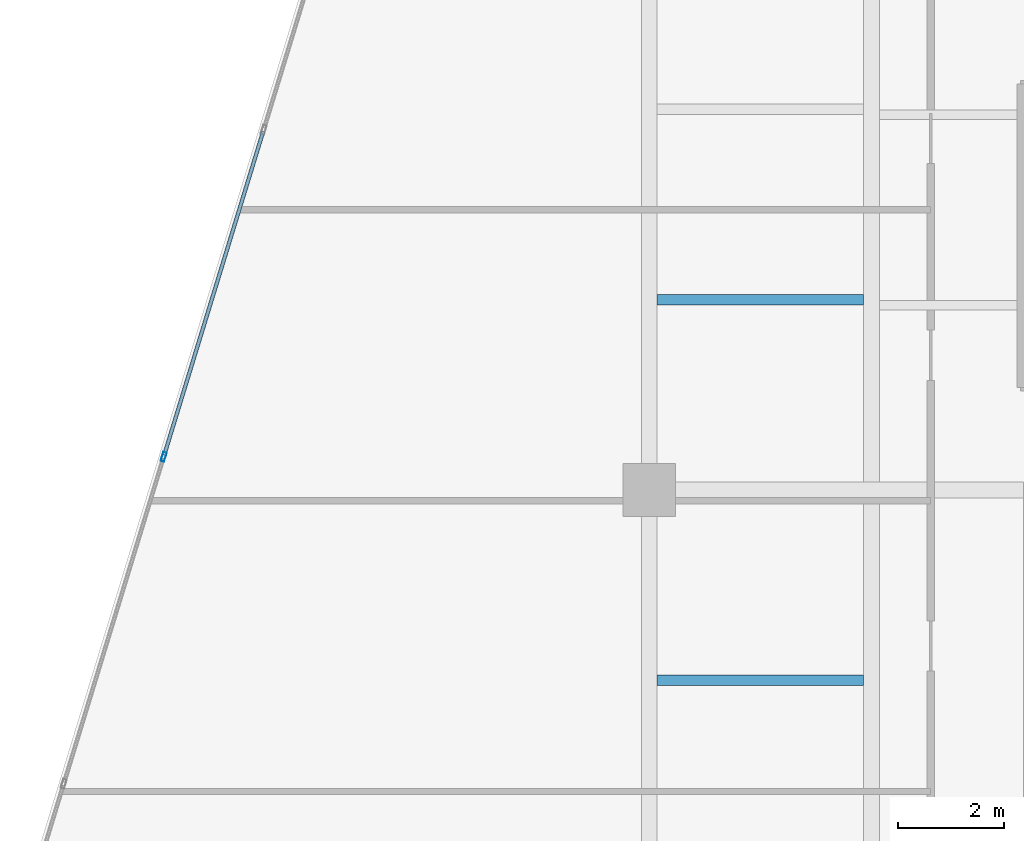
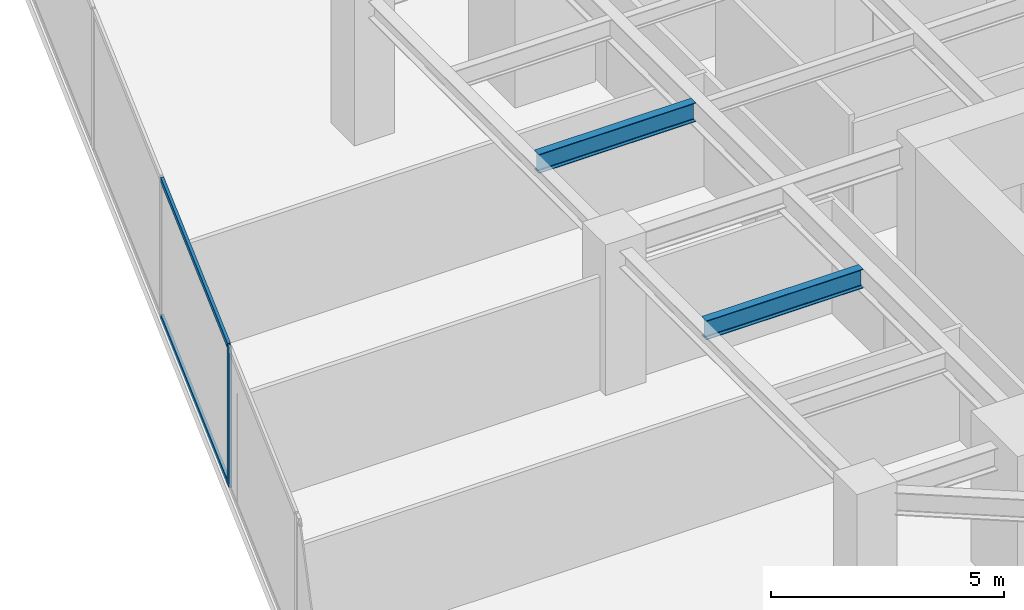
# One storey, part 7 of 26: 3 members, 2 beams, 1 element without a shape of its own.
"""IFC4 building model written with IfcOpenShell, lengths in metres."""

import ifcopenshell
import ifcopenshell.guid

model = None  # the IFC model being written
_history = None  # IfcOwnerHistory: only IFC2X3 demands one
_inside = {}  # id of a spatial element -> (the spatial element, [elements in it])
_under = {}  # id of a project, library or spatial element -> (it, [spatial elements below it])
_declared = {}  # id of a project -> (the project, [libraries it declares])
_typed = {}  # id of a type object -> (the type object, [elements of that type])
_made_of = {}  # id of a material, layer set ... -> (it, [elements and type objects made of it])


def new_model(schema):
    """Start an empty IFC model of exactly this schema.

    Asked for "IFC4X3", IfcOpenShell would pick the latest addendum, in which some entities
    have other attributes; the version numbers below select the first issue.
    IFC2X3 requires an IfcOwnerHistory on every rooted entity: one is made here for all.
    """
    global model, _history
    if schema == "IFC4X3":
        model = ifcopenshell.file(schema_version=(4, 3, 0, 0))
    else:
        model = ifcopenshell.file(schema=schema)
    _inside.clear()
    _under.clear()
    _declared.clear()
    _typed.clear()
    _made_of.clear()
    _history = None
    if model.schema == "IFC2X3":
        org = make("IfcOrganization", Name="unknown")
        user = make(
            "IfcPersonAndOrganization",
            ThePerson=make("IfcPerson", FamilyName="unknown"),
            TheOrganization=org,
        )
        app = make(
            "IfcApplication",
            ApplicationDeveloper=org,
            Version="unknown",
            ApplicationFullName="unknown",
            ApplicationIdentifier="unknown",
        )
        _history = make(
            "IfcOwnerHistory",
            OwningUser=user,
            OwningApplication=app,
            ChangeAction="ADDED",
            CreationDate=0,
        )
    return model


def make(cls, **values):
    """One entity of the class cls with the attributes given. An attribute that is None is left unset."""
    return model.create_entity(
        cls, **{name: value for name, value in values.items() if value is not None}
    )


def rooted(cls, **values):
    """An entity with a GlobalId (a new one), such as an element, a storey or a relation."""
    return make(cls, GlobalId=ifcopenshell.guid.new(), OwnerHistory=_history, **values)


def si_unit(unit_type, name, prefix=None):
    """IfcSIUnit, for example si_unit("LENGTHUNIT", "METRE", prefix="MILLI")."""
    return make("IfcSIUnit", UnitType=unit_type, Prefix=prefix, Name=name)


def assignment(units):
    """IfcUnitAssignment: the units of a project."""
    return None if units is None else make("IfcUnitAssignment", Units=units)


def point(xyz):
    """IfcCartesianPoint."""
    return None if xyz is None else make("IfcCartesianPoint", Coordinates=xyz)


def direction(xyz):
    """IfcDirection."""
    return None if xyz is None else make("IfcDirection", DirectionRatios=xyz)


def frame(location, z_axis=None, x_axis=None):
    """IfcAxis2Placement3D, a coordinate frame: its origin and axes. An axis left out is left unset."""
    return make(
        "IfcAxis2Placement3D",
        Location=point(location),
        Axis=direction(z_axis),
        RefDirection=direction(x_axis),
    )


def frame_2d(location, x_axis=None):
    """IfcAxis2Placement2D, a coordinate frame in the plane: its origin and x axis."""
    return make(
        "IfcAxis2Placement2D", Location=point(location), RefDirection=direction(x_axis)
    )


def origin():
    """The frame at (0, 0, 0) with its axes left unset."""
    return frame((0.0, 0.0, 0.0))


def origin_2d():
    """The frame at (0, 0) in the plane with its x axis left unset."""
    return frame_2d((0.0, 0.0))


def place(relative_to, where):
    """IfcLocalPlacement: puts the frame where relative to a parent placement (None: the world)."""
    return make(
        "IfcLocalPlacement", PlacementRelTo=relative_to, RelativePlacement=where
    )


def context(
    kind, dimensions, precision=None, world=None, true_north=None, identifier=None
):
    """IfcGeometricRepresentationContext, for example the 3D "Model" context."""
    return make(
        "IfcGeometricRepresentationContext",
        ContextIdentifier=identifier,
        ContextType=kind,
        CoordinateSpaceDimension=dimensions,
        Precision=precision,
        WorldCoordinateSystem=world,
        TrueNorth=true_north,
    )


def subcontext(parent, identifier, kind, view, scale=None):
    """IfcGeometricRepresentationSubContext, for example "Body" below "Model"."""
    return make(
        "IfcGeometricRepresentationSubContext",
        ContextIdentifier=identifier,
        ContextType=kind,
        ParentContext=parent,
        TargetScale=scale,
        TargetView=view,
    )


def project(units=None, contexts=None):
    """IfcProject with its units and contexts."""
    return rooted(
        "IfcProject",
        Name="project",
        RepresentationContexts=contexts,
        UnitsInContext=assignment(units),
    )


def spatial(cls, under=None, at=None, **own):
    """A site, building, storey or space (cls), placed at a placement, below another one or the project."""
    s = rooted(cls, ObjectPlacement=at, **own)
    if under is not None:
        _under.setdefault(under.id(), (under, []))[1].append(s)
    return s


def profile(cls, at=None, kind="AREA", **sizes):
    """A parametric profile (cls). Its sizes go by their IFC names, for example OverallWidth=200.0."""
    return make(cls, ProfileType=kind, Position=at, **sizes)


def hollow_rectangle(**sizes):
    """IfcRectangleHollowProfileDef."""
    return profile("IfcRectangleHollowProfileDef", **sizes)


def i_section(**sizes):
    """IfcIShapeProfileDef."""
    return profile("IfcIShapeProfileDef", **sizes)


def extrude(swept, where, along, depth):
    """IfcExtrudedAreaSolid: the profile swept, set in the frame where, extruded along a direction by depth."""
    return make(
        "IfcExtrudedAreaSolid",
        SweptArea=swept,
        Position=where,
        ExtrudedDirection=direction(along),
        Depth=depth,
    )


def shape(context_of_items, identifier, shape_type, items):
    """IfcShapeRepresentation: the items that make up one representation, for example the "Body"."""
    return make(
        "IfcShapeRepresentation",
        ContextOfItems=context_of_items,
        RepresentationIdentifier=identifier,
        RepresentationType=shape_type,
        Items=items,
    )


def source(mapping_origin, context_of_items, identifier, shape_type, items):
    """IfcRepresentationMap: a shape defined once, which mapped items show again and again."""
    return make(
        "IfcRepresentationMap",
        MappingOrigin=mapping_origin,
        MappedRepresentation=shape(context_of_items, identifier, shape_type, items),
    )


def transform(
    local_origin,
    x_axis=None,
    y_axis=None,
    z_axis=None,
    scale=None,
    scale2=None,
    scale3=None,
    uniform=True,
):
    """IfcCartesianTransformationOperator3D, or its non-uniform kind. x_axis, y_axis, z_axis: its Axis1, 2, 3."""
    if uniform:
        return make(
            "IfcCartesianTransformationOperator3D",
            Axis1=direction(x_axis),
            Axis2=direction(y_axis),
            LocalOrigin=point(local_origin),
            Scale=scale,
            Axis3=direction(z_axis),
        )
    return make(
        "IfcCartesianTransformationOperator3DnonUniform",
        Axis1=direction(x_axis),
        Axis2=direction(y_axis),
        LocalOrigin=point(local_origin),
        Scale=scale,
        Axis3=direction(z_axis),
        Scale2=scale2,
        Scale3=scale3,
    )


def mapped(mapping_source, mapping_target):
    """IfcMappedItem: shows the shape of a source again, moved by a transform."""
    return make(
        "IfcMappedItem", MappingSource=mapping_source, MappingTarget=mapping_target
    )


def material(Name=None, Category=None):
    """IfcMaterial."""
    return make("IfcMaterial", Name=Name, Category=Category)


def material_profile(
    of_material, cross_section, Name=None, Category=None, Priority=None
):
    """IfcMaterialProfile: a cross section and its material."""
    return make(
        "IfcMaterialProfile",
        Name=Name,
        Material=of_material,
        Profile=cross_section,
        Priority=Priority,
        Category=Category,
    )


def profile_set(profiles, Name=None, composite=None):
    """IfcMaterialProfileSet."""
    return make(
        "IfcMaterialProfileSet",
        Name=Name,
        MaterialProfiles=profiles,
        CompositeProfile=composite,
    )


def made_of(thing, what):
    """Note that an element or type object is made of a material, layer set ...; save() writes the relation."""
    if what is not None:
        _made_of.setdefault(what.id(), (what, []))[1].append(thing)
    return thing


def type_object(cls, material=None, **own):
    """A type object (cls), such as IfcWallType, which elements share."""
    return made_of(rooted(cls, **own), material)


def type_shapes(of_type, sources):
    """Give a type object the sources (RepresentationMaps) that its elements show as mapped items."""
    of_type.RepresentationMaps = sources


def element(
    cls,
    number,
    at=None,
    inside=None,
    cuts=None,
    type_object=None,
    material=None,
    context=None,
    identifier="Body",
    shape_type=None,
    held_by="IfcProductDefinitionShape",
    body=None,
    shapes=None,
    **own,
):
    """One element of the class cls, such as IfcWall. Its Tag is "e" and its number.

    at: its placement. inside: the storey or other place that contains it. cuts: it is an
    opening in that element (IfcRelVoidsElement). A single representation is given by context,
    identifier, shape_type and body (its items); several are given by shapes. held_by: the class
    of the entity that holds the representations. save() writes the other relations.
    """
    e = rooted(cls, Tag="e%d" % number, ObjectPlacement=at, **own)
    if body is not None:
        shapes = [shape(context, identifier, shape_type, body)]
    if shapes is not None:
        e.Representation = make(held_by, Representations=shapes)
    if inside is not None:
        _inside.setdefault(inside.id(), (inside, []))[1].append(e)
    if cuts is not None:
        rooted(
            "IfcRelVoidsElement", RelatingBuildingElement=cuts, RelatedOpeningElement=e
        )
    if type_object is not None:
        _typed.setdefault(type_object.id(), (type_object, []))[1].append(e)
    return made_of(e, material)


def aggregate(whole, parts):
    """IfcRelAggregates: a whole, such as a stair, and the parts it consists of."""
    return rooted("IfcRelAggregates", RelatingObject=whole, RelatedObjects=parts)


def save(model, path):
    """Write the relations noted so far, then the file.

    IfcRelAggregates (storeys below a building ...), IfcRelContainedInSpatialStructure (elements
    in a storey), IfcRelDefinesByType, IfcRelAssociatesMaterial and IfcRelDeclares: one each for
    every whole, place, type object, material and project.
    """
    for whole, parts in _under.values():
        aggregate(whole, parts)
    for where, things in _inside.values():
        rooted(
            "IfcRelContainedInSpatialStructure",
            RelatedElements=things,
            RelatingStructure=where,
        )
    for kind, things in _typed.values():
        rooted("IfcRelDefinesByType", RelatedObjects=things, RelatingType=kind)
    for what, things in _made_of.values():
        rooted("IfcRelAssociatesMaterial", RelatedObjects=things, RelatingMaterial=what)
    for by, libraries in _declared.values():
        rooted("IfcRelDeclares", RelatingContext=by, RelatedDefinitions=libraries)
    model.write(path)


model = new_model("IFC4")

# Units and contexts
model_context = context("Model", 3, precision=1e-05, world=origin(), true_north=direction((0.0, 1.0)))
body_context = subcontext(model_context, "Body", "Model", "MODEL_VIEW")
ifc_project = project(units=[si_unit("LENGTHUNIT", "METRE"), si_unit("AREAUNIT", "SQUARE_METRE"), si_unit("VOLUMEUNIT", "CUBIC_METRE"), si_unit("PLANEANGLEUNIT", "RADIAN"), si_unit("MASSUNIT", "GRAM", prefix="KILO")], contexts=[model_context])

# Site, building, storey
site_placement = place(None, origin())
site = spatial("IfcSite", under=ifc_project, at=site_placement, CompositionType="ELEMENT")
building_placement = place(site_placement, origin())
building = spatial("IfcBuilding", under=site, at=building_placement, Name="Krantzveldt Concourse Tower", CompositionType="ELEMENT")
storey_placement = place(building_placement, frame((0.0, 0.0, 109.800048828125)))
storey = spatial("IfcBuildingStorey", under=building, at=storey_placement, Name="L26", CompositionType="ELEMENT", Elevation=109.800048828125)

# Beams
ifc_material_1 = material(Name="Steel S355JR", Category="steel")
ifc_material_profile_1 = material_profile(ifc_material_1, i_section(OverallWidth=0.199951171875, OverallDepth=0.5, WebThickness=0.01025390625, FlangeThickness=0.01611328125, FilletRadius=0.02099609375, at=origin_2d()), Name="Steel S355JR", Category="steel")
ifc_profile_set_1 = profile_set([ifc_material_profile_1], Name="Steel S355JR - IPE 500")
beam_type = type_object("IfcBeamType", Name="BM-J-IPE500", PredefinedType="JOIST", material=ifc_profile_set_1)
shared_shape_1 = source(origin(), body_context, "Body", "SweptSolid", [
    extrude(i_section(OverallWidth=0.199951171875, OverallDepth=0.5, WebThickness=0.01025390625, FlangeThickness=0.01611328125, FilletRadius=0.02099609375, at=origin_2d()), origin(), (0.0, 0.0, 1.0), 3.900146484375),
])
type_shapes(beam_type, [shared_shape_1])
for number, where, z_axis, x_axis, name in (
    (1, (21.14990234375, 23.10009765625, 3.419921875), (1.0, 0.0, 0.0), (0.0, 1.0, 0.0), "L26 Secondary Floor Joist JW-2"),
    (2, (21.14990234375, 30.300048828125, 3.419921875), (1.0, 0.0, 0.0), (0.0, 1.0, 0.0), "L26 Secondary Floor Joist JW-3"),
):
    element("IfcBeam", number, at=place(storey_placement, frame(where, z_axis=z_axis, x_axis=x_axis)), inside=storey, type_object=beam_type, Name=name, PredefinedType="JOIST", context=body_context, shape_type="MappedRepresentation", body=[
        mapped(shared_shape_1, transform((0.0, 0.0, 0.0), x_axis=(1.0, 0.0, 0.0), y_axis=(0.0, 1.0, 0.0), z_axis=(0.0, 0.0, 1.0), scale=1.0)),
    ])

# Curtain wall, members
ifc_material_2 = material(Name="Anodised aluminium 6063-T6", Category="aluminium")
curtain_wall_type = type_object("IfcCurtainWallType", Name="CW2", PredefinedType="USERDEFINED", material=ifc_material_2)
curtain_wall_placement = place(storey_placement, origin())
curtain_wall = element("IfcCurtainWall", 3, at=curtain_wall_placement, inside=storey, type_object=curtain_wall_type, Name="CW-L26-F01", ObjectType="UNITISED CURTAIN WALL", PredefinedType="USERDEFINED")
ifc_material_profile_2 = material_profile(ifc_material_2, hollow_rectangle(XDim=0.070068359375, YDim=0.179931640625, WallThickness=0.0048828125, at=origin_2d()), Name="Anodised aluminium 6063-T6", Category="aluminium")
ifc_profile_set_2 = profile_set([ifc_material_profile_2], Name="Anodised aluminium 6063-T6 - ALU-MULL 180x70x5")
member_type_1 = type_object("IfcMemberType", Name="CW-MUL-180", PredefinedType="MULLION", material=ifc_profile_set_2)
shared_shape_2 = source(origin(), body_context, "Body", "SweptSolid", [
    extrude(hollow_rectangle(XDim=0.070068359375, YDim=0.179931640625, WallThickness=0.0048828125, at=origin_2d()), origin(), (0.0, 0.0, 1.0), 3.669921875),
])
type_shapes(member_type_1, [shared_shape_2])
member_1_placement = place(storey_placement, frame((11.81787109375, 27.3310546875, 0.0), z_axis=(0.0, 0.0, 1.0), x_axis=(0.956304761423, -0.292371686864, 0.0)))
member_1 = element("IfcMember", 4, at=member_1_placement, type_object=member_type_1, Name="CW-Z12 mullion 5", PredefinedType="MULLION", context=body_context, shape_type="MappedRepresentation", body=[
    mapped(shared_shape_2, transform((0.0, 0.0, 0.0), x_axis=(1.0, 0.0, 0.0), y_axis=(0.0, 1.0, 0.0), z_axis=(0.0, 0.0, 1.0), scale=1.0)),
])
ifc_material_profile_3 = material_profile(ifc_material_2, hollow_rectangle(XDim=0.070068359375, YDim=0.139892578125, WallThickness=0.0048828125, at=origin_2d()), Name="Anodised aluminium 6063-T6", Category="aluminium")
ifc_profile_set_3 = profile_set([ifc_material_profile_3], Name="Anodised aluminium 6063-T6 - ALU-TRAN 140x70x5")
member_type_2 = type_object("IfcMemberType", Name="CW-TRN-150", PredefinedType="USERDEFINED", material=ifc_profile_set_3)
shared_shape_3 = source(origin(), body_context, "Body", "SweptSolid", [
    extrude(hollow_rectangle(XDim=0.070068359375, YDim=0.139892578125, WallThickness=0.0048828125, at=origin_2d()), origin(), (0.0, 0.0, 1.0), 6.396728515625),
])
type_shapes(member_type_2, [shared_shape_3])
member_2_placement = place(storey_placement, frame((13.6982421875, 33.481689453125, 0.034912109375), z_axis=(-0.292358163404, -0.956308895855, 0.0), x_axis=(0.956308895855, -0.292358163404, 0.0)))
member_2 = element("IfcMember", 5, at=member_2_placement, type_object=member_type_2, Name="CW-Z12 transom 4.1", ObjectType="TRANSOM", PredefinedType="USERDEFINED", context=body_context, shape_type="MappedRepresentation", body=[
    mapped(shared_shape_3, transform((0.0, 0.0, 0.0), x_axis=(1.0, 0.0, 0.0), y_axis=(0.0, 1.0, 0.0), z_axis=(0.0, 0.0, 1.0), scale=1.0)),
])
member_3_placement = place(storey_placement, frame((13.6982421875, 33.481689453125, 3.635009765625), z_axis=(-0.292358163404, -0.956308895855, 0.0), x_axis=(0.956308895855, -0.292358163404, 0.0)))
member_3 = element("IfcMember", 6, at=member_3_placement, type_object=member_type_2, Name="CW-Z12 transom 4.2", ObjectType="TRANSOM", PredefinedType="USERDEFINED", context=body_context, shape_type="MappedRepresentation", body=[
    mapped(shared_shape_3, transform((0.0, 0.0, 0.0), x_axis=(1.0, 0.0, 0.0), y_axis=(0.0, 1.0, 0.0), z_axis=(0.0, 0.0, 1.0), scale=1.0)),
])
aggregate(curtain_wall, [member_1, member_2, member_3])

save(model, "model.ifc")
